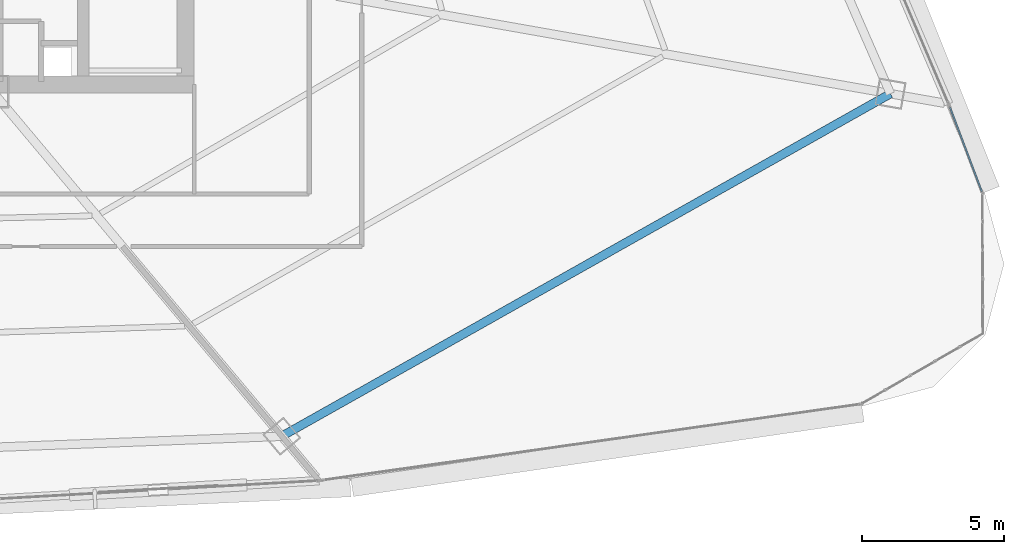
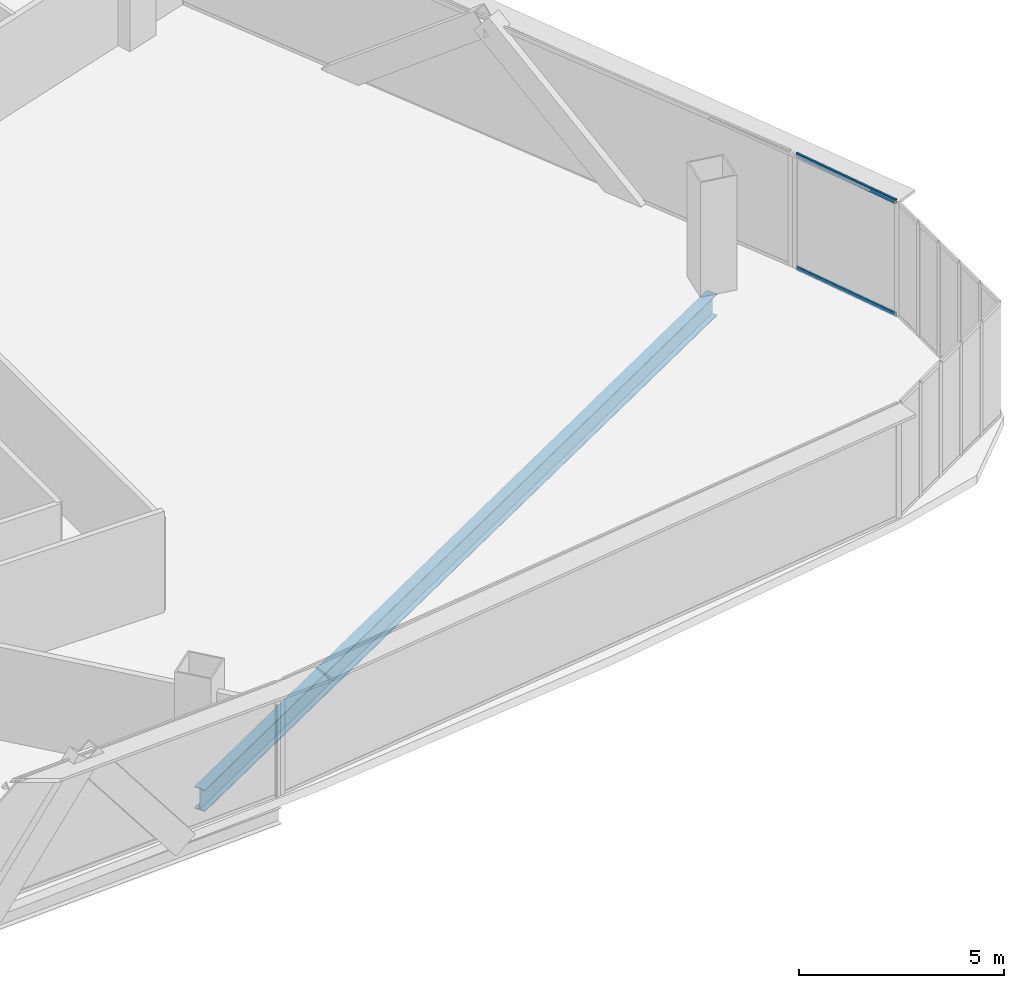
# One storey, part 23 of 42: 2 members, 1 beam, 1 element without a shape of its own.
"""IFC4 building model written with IfcOpenShell, lengths in metres."""

from ifc_helpers import new_model, si_unit, direction, frame, origin, origin_2d, place, context, subcontext, project, spatial, hollow_rectangle, i_section, extrude, source, transform, mapped, material, layer, layer_set, material_profile, profile_set, type_object, element, aggregate, save


model = new_model("IFC4")

# Units and contexts
model_context = context("Model", 3, precision=1e-05, world=origin(), true_north=direction((0.0, 1.0)))
body_context = subcontext(model_context, "Body", "Model", "MODEL_VIEW")
ifc_project = project(units=[si_unit("LENGTHUNIT", "METRE"), si_unit("AREAUNIT", "SQUARE_METRE"), si_unit("VOLUMEUNIT", "CUBIC_METRE"), si_unit("PLANEANGLEUNIT", "RADIAN"), si_unit("MASSUNIT", "GRAM", prefix="KILO"), si_unit("THERMODYNAMICTEMPERATUREUNIT", "KELVIN"), si_unit("POWERUNIT", "WATT")], contexts=[model_context])

# Site, building, storey
site_placement = place(None, origin())
site = spatial("IfcSite", under=ifc_project, at=site_placement, CompositionType="ELEMENT")
building_placement = place(site_placement, origin())
building = spatial("IfcBuilding", under=site, at=building_placement, Name="Yunzhuo Pagoda Commons", CompositionType="ELEMENT")
storey_placement = place(building_placement, frame((0.0, 0.0, 133.510009765625)))
storey = spatial("IfcBuildingStorey", under=building, at=storey_placement, Name="L33", CompositionType="ELEMENT", Elevation=133.510009765625)

# Beam
ifc_material_1 = material(Name="Structural steel Q355B", Category="steel")
ifc_material_profile_1 = material_profile(ifc_material_1, i_section(OverallWidth=0.300048828125, OverallDepth=0.64990234375, WebThickness=0.012939453125, FlangeThickness=0.02197265625, at=origin_2d()), Name="Structural steel Q355B")
ifc_profile_set_1 = profile_set([ifc_material_profile_1], Name="Structural steel Q355B")
beam_type = type_object("IfcBeamType", Name="B-RG2 Beam HN 650x300x13x22", PredefinedType="BEAM", material=ifc_profile_set_1)
shared_shape_1 = source(origin(), body_context, "Body", "SweptSolid", [
    extrude(i_section(OverallWidth=0.300048828125, OverallDepth=0.64990234375, WebThickness=0.012939453125, FlangeThickness=0.02197265625, at=origin_2d()), origin(), (0.0, 0.0, 1.0), 24.56982421875),
])
beam_placement = place(storey_placement, frame((63.585205078125, 15.126220703125, -0.5849609375), z_axis=(0.871469103633, 0.490450406681, 0.0), x_axis=(-0.490450406681, 0.871469103633, 0.0)))
element("IfcBeam", 1, at=beam_placement, inside=storey, type_object=beam_type, Name="L33 column-ring beam 4", PredefinedType="BEAM", context=body_context, shape_type="MappedRepresentation", body=[
    mapped(shared_shape_1, transform((0.0, 0.0, 0.0), scale=1.0)),
])

# Curtain wall, members
ifc_material_2 = material(Name="Anodized aluminium 6063-T6", Category="aluminium")
ifc_layer = layer(ifc_material_2, 0.14990234375)
ifc_layer_set = layer_set([ifc_layer], Name="Anodized aluminium 6063-T6")
curtain_wall_type = type_object("IfcCurtainWallType", Name="CW-MID Mid-Zone Ribbon Curtain Wall", PredefinedType="NOTDEFINED", material=ifc_layer_set)
curtain_wall_placement = place(storey_placement, origin())
curtain_wall = element("IfcCurtainWall", 2, at=curtain_wall_placement, inside=storey, type_object=curtain_wall_type, Name="L33 curtain wall CW-L33-F2B1", PredefinedType="NOTDEFINED")
ifc_material_profile_2 = material_profile(ifc_material_2, hollow_rectangle(XDim=0.054931640625, YDim=0.1298828125, WallThickness=0.00341796875, at=origin_2d()), Name="Anodized aluminium 6063-T6")
ifc_profile_set_2 = profile_set([ifc_material_profile_2], Name="Anodized aluminium 6063-T6")
member_type = type_object("IfcMemberType", Name="CW-MID-T Transom RHS 130x55x3.5", PredefinedType="USERDEFINED", material=ifc_profile_set_2)
shared_shape_2 = source(origin(), body_context, "Body", "SweptSolid", [
    extrude(hollow_rectangle(XDim=0.054931640625, YDim=0.1298828125, WallThickness=0.00341796875, at=origin_2d()), origin(), (0.0, 0.0, 1.0), 3.15576171875),
])
member_1_placement = place(storey_placement, frame((88.212158203125, 23.73681640625, 0.027587890625), z_axis=(-0.353784181355, 0.935327083443, 0.0), x_axis=(-0.935327083443, -0.353784181355, 0.0)))
member_1 = element("IfcMember", 3, at=member_1_placement, type_object=member_type, Name="CW transom 1.1", ObjectType="TRANSOM", PredefinedType="USERDEFINED", context=body_context, shape_type="MappedRepresentation", body=[
    mapped(shared_shape_2, transform((0.0, 0.0, 0.0), scale=1.0)),
])
member_2_placement = place(storey_placement, frame((88.212158203125, 23.73681640625, 3.392578125), z_axis=(-0.353784181355, 0.935327083443, 0.0), x_axis=(-0.935327083443, -0.353784181355, 0.0)))
member_2 = element("IfcMember", 4, at=member_2_placement, type_object=member_type, Name="CW transom 1.2", ObjectType="TRANSOM", PredefinedType="USERDEFINED", context=body_context, shape_type="MappedRepresentation", body=[
    mapped(shared_shape_2, transform((0.0, 0.0, 0.0), scale=1.0)),
])
aggregate(curtain_wall, [member_1, member_2])

save(model, "model.ifc")
